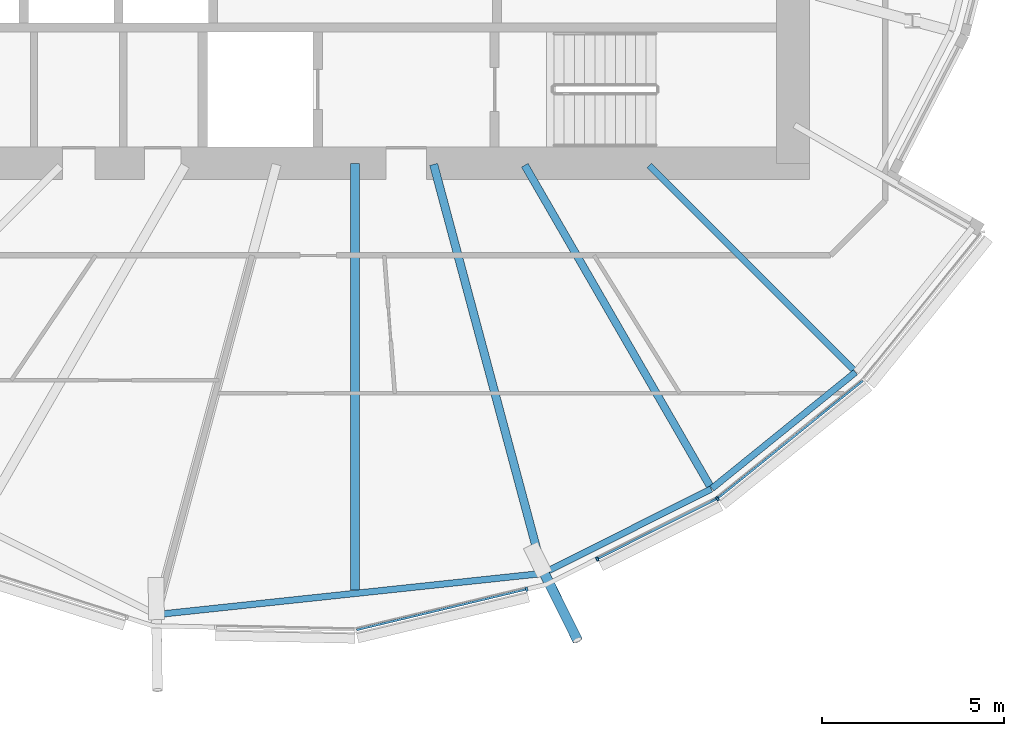
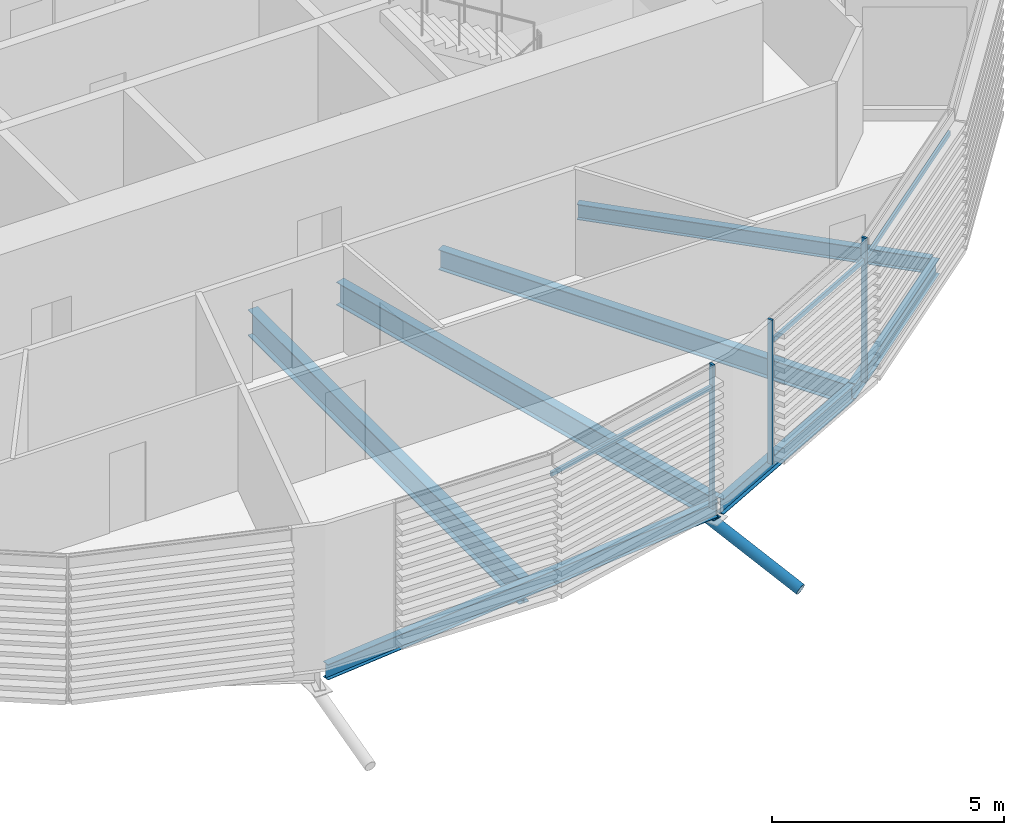
# One storey, part 13 of 36: 7 beams, 7 members, 1 element without a shape of its own.
"""IFC4 building model written with IfcOpenShell, lengths in metres."""

from ifc_helpers import new_model, si_unit, direction, frame, origin, origin_2d, place, context, subcontext, project, spatial, rectangle, hollow_circle, i_section, extrude, clip, halfspace, material, material_profile, profile_set, type_object, element, aggregate, save


model = new_model("IFC4")

# Units and contexts
model_context = context("Model", 3, precision=1e-05, world=origin(), true_north=direction((0.0, 1.0)))
body_context = subcontext(model_context, "Body", "Model", "MODEL_VIEW")
ifc_project = project(units=[si_unit("LENGTHUNIT", "METRE"), si_unit("AREAUNIT", "SQUARE_METRE"), si_unit("VOLUMEUNIT", "CUBIC_METRE"), si_unit("PLANEANGLEUNIT", "RADIAN"), si_unit("MASSUNIT", "GRAM", prefix="KILO")], contexts=[model_context])

# Site, building, storey
site_placement = place(None, origin())
site = spatial("IfcSite", under=ifc_project, at=site_placement, CompositionType="ELEMENT")
building_placement = place(site_placement, origin())
building = spatial("IfcBuilding", under=site, at=building_placement, Name="Rimbun Link Towers", CompositionType="ELEMENT")
storey_placement = place(building_placement, frame((0.0, 0.0, 33.800048828125)))
storey = spatial("IfcBuildingStorey", under=building, at=storey_placement, Name="L07", CompositionType="ELEMENT", Elevation=33.800048828125)

# Curtain wall, members
ifc_material_1 = material(Name="Aluminium 6063-T6 and low-iron glass", Category="aluminium")
curtain_wall_type = type_object("IfcCurtainWallType", Name="CW1 unitised vision wall", PredefinedType="NOTDEFINED", material=ifc_material_1)
curtain_wall_placement = place(storey_placement, origin())
curtain_wall = element("IfcCurtainWall", 1, at=curtain_wall_placement, inside=storey, type_object=curtain_wall_type, Name="CW1 L07 T2", PredefinedType="NOTDEFINED")
ifc_material_2 = material(Name="Aluminium 6063-T6", Category="aluminium")
ifc_material_profile_1 = material_profile(ifc_material_2, rectangle(XDim=0.1201171875, YDim=0.06005859375, at=origin_2d()), Name="MULLION 60X120")
ifc_profile_set_1 = profile_set([ifc_material_profile_1], Name="Aluminium 6063-T6")
member_type_1 = type_object("IfcMemberType", Name="CW1 mullion 60X120", PredefinedType="MULLION", material=ifc_profile_set_1)
member_1_placement = place(storey_placement, frame((36.449951171875, -19.671142578125, 0.0), z_axis=(0.0, 0.0, 1.0), x_axis=(0.23261266824, -0.972569455913, 0.0)))
member_1 = element("IfcMember", 2, at=member_1_placement, type_object=member_type_1, Name="CW1 mullion", PredefinedType="MULLION", context=body_context, shape_type="SweptSolid", body=[
    extrude(rectangle(XDim=0.1201171875, YDim=0.06005859375, at=origin_2d()), origin(), (0.0, 0.0, 1.0), 3.800048828125),
])
member_2_placement = place(storey_placement, frame((41.677001953125, -17.188232421875, 0.0), z_axis=(0.0, 0.0, 1.0), x_axis=(0.542093221733, -0.840318355715, 0.0)))
member_2 = element("IfcMember", 3, at=member_2_placement, type_object=member_type_1, Name="CW1 mullion", PredefinedType="MULLION", context=body_context, shape_type="SweptSolid", body=[
    extrude(rectangle(XDim=0.1201171875, YDim=0.06005859375, at=origin_2d()), origin(), (0.0, 0.0, 1.0), 3.800048828125),
])
member_3_placement = place(storey_placement, frame((38.383056640625, -18.8427734375, 0.0), z_axis=(0.0, 0.0, 1.0), x_axis=(0.448773200217, -0.893645687489, 0.0)))
member_3 = element("IfcMember", 4, at=member_3_placement, type_object=member_type_1, Name="CW1 mullion", PredefinedType="MULLION", context=body_context, shape_type="SweptSolid", body=[
    extrude(rectangle(XDim=0.1201171875, YDim=0.06005859375, at=origin_2d()), origin(), (0.0, 0.0, 1.0), 3.800048828125),
])
ifc_material_3 = material(Name="Aluminium 6063-T6", Category="aluminium")
ifc_material_profile_2 = material_profile(ifc_material_3, rectangle(XDim=0.06005859375, YDim=0.1201171875, at=origin_2d()), Name="TRANSOM 60X120")
ifc_profile_set_2 = profile_set([ifc_material_profile_2], Name="Aluminium 6063-T6")
member_type_2 = type_object("IfcMemberType", Name="CW1 transom 60X120", PredefinedType="USERDEFINED", material=ifc_profile_set_2)
member_4_placement = place(storey_placement, frame((36.42041015625, -19.676025390625, 3.199951171875), z_axis=(-0.97256400383, -0.232635462589, 0.0), x_axis=(0.232635462589, -0.97256400383, 0.0)))
member_4 = element("IfcMember", 5, at=member_4_placement, type_object=member_type_2, Name="CW1 transom", ObjectType="TRANSOM", PredefinedType="USERDEFINED", context=body_context, shape_type="SweptSolid", body=[
    extrude(rectangle(XDim=0.06005859375, YDim=0.1201171875, at=origin_2d()), origin(), (0.0, 0.0, 1.0), 4.75830078125),
])
member_5_placement = place(storey_placement, frame((41.643798828125, -17.203125, 3.199951171875), z_axis=(-0.893643462772, -0.448777630286, 0.0), x_axis=(0.448777630286, -0.893643462772, 0.0)))
member_5 = element("IfcMember", 6, at=member_5_placement, type_object=member_type_2, Name="CW1 transom", ObjectType="TRANSOM", PredefinedType="USERDEFINED", context=body_context, shape_type="SweptSolid", body=[
    extrude(rectangle(XDim=0.06005859375, YDim=0.1201171875, at=origin_2d()), origin(), (0.0, 0.0, 1.0), 3.619873046875),
])
member_6_placement = place(storey_placement, frame((45.660888671875, -13.961669921875, 3.199951171875), z_axis=(-0.77729513126, -0.629136137032, 0.0), x_axis=(0.629136137032, -0.77729513126, 0.0)))
member_6 = element("IfcMember", 7, at=member_6_placement, type_object=member_type_2, Name="CW1 transom", ObjectType="TRANSOM", PredefinedType="USERDEFINED", context=body_context, shape_type="SweptSolid", body=[
    extrude(rectangle(XDim=0.06005859375, YDim=0.1201171875, at=origin_2d()), origin(), (0.0, 0.0, 1.0), 5.090087890625),
])
aggregate(curtain_wall, [member_1, member_2, member_3, member_4, member_5, member_6])

# Member
ifc_material_4 = material(Name="Steel S355J2H", Category="steel")
ifc_material_profile_3 = material_profile(ifc_material_4, hollow_circle(Radius=0.136474609375, WallThickness=0.012451171875, at=origin_2d()), Name="CHS 273x12.5")
ifc_profile_set_3 = profile_set([ifc_material_profile_3], Name="Steel S355J2H")
member_type_3 = type_object("IfcMemberType", Name="Floor edge link CHS 273x12.5", PredefinedType="BRACE", material=ifc_profile_set_3)
member_7_placement = place(storey_placement, frame((36.8681640625, -19.101318359375, -0.888916015625), z_axis=(0.411715918784, -0.829898579747, -0.376508100249), x_axis=(0.895818914221, 0.444419253548, 0.0)))
element("IfcMember", 8, at=member_7_placement, inside=storey, type_object=member_type_3, Name="Floor edge link T2 L07 16", PredefinedType="BRACE", context=body_context, shape_type="Clipping", body=[
    clip(extrude(hollow_circle(Radius=0.136474609375, WallThickness=0.012451171875, at=origin_2d()), frame((0.0, 0.0, -0.6982421875)), (0.0, 0.0, 1.0), 3.07666015625), halfspace(frame((0.0, 0.0, -0.330078125), z_axis=(0.0, 0.926413325923, -0.376508100249)), False)),
])

# Beams
ifc_material_5 = material(Name="Steel S355J2", Category="steel")
ifc_material_profile_4 = material_profile(ifc_material_5, i_section(OverallWidth=0.177978515625, OverallDepth=0.406494140625, WebThickness=0.0078125, FlangeThickness=0.0126953125, at=origin_2d()), Name="UB 406x178x60")
ifc_profile_set_4 = profile_set([ifc_material_profile_4], Name="Steel S355J2")
beam_type_1 = type_object("IfcBeamType", Name="UB 406x178x60", PredefinedType="BEAM", material=ifc_profile_set_4)
beam_1_placement = place(storey_placement, frame((39.813720703125, -8.063720703125, -0.36328125), z_axis=(0.707106781187, -0.707106781187, 0.0), x_axis=(0.707106781187, 0.707106781187, 0.0)))
element("IfcBeam", 9, at=beam_1_placement, inside=storey, type_object=beam_type_1, Name="Radial beam T2 L07 18", PredefinedType="BEAM", context=body_context, shape_type="SweptSolid", body=[
    extrude(i_section(OverallWidth=0.177978515625, OverallDepth=0.406494140625, WebThickness=0.0078125, FlangeThickness=0.0126953125, at=origin_2d()), origin(), (0.0, 0.0, 1.0), 7.908935546875),
])
beam_2_placement = place(storey_placement, frame((26.428466796875, -20.35400390625, -0.36328125), z_axis=(0.994375794945, 0.105909293396, 0.0), x_axis=(-0.105909293396, 0.994375794945, 0.0)))
element("IfcBeam", 10, at=beam_2_placement, inside=storey, type_object=beam_type_1, Name="Edge beam T2 L07 14-16", PredefinedType="BEAM", context=body_context, shape_type="SweptSolid", body=[
    extrude(i_section(OverallWidth=0.177978515625, OverallDepth=0.406494140625, WebThickness=0.0078125, FlangeThickness=0.0126953125, at=origin_2d()), origin(), (0.0, 0.0, 1.0), 10.41943359375),
])
beam_3_placement = place(storey_placement, frame((36.90576171875, -19.23779296875, -0.36328125), z_axis=(0.893410782718, 0.449240663033, 0.0), x_axis=(-0.449240663033, 0.893410782718, 0.0)))
element("IfcBeam", 11, at=beam_3_placement, inside=storey, type_object=beam_type_1, Name="Edge beam T2 L07 16", PredefinedType="BEAM", context=body_context, shape_type="SweptSolid", body=[
    extrude(i_section(OverallWidth=0.177978515625, OverallDepth=0.406494140625, WebThickness=0.0078125, FlangeThickness=0.0126953125, at=origin_2d()), origin(), (0.0, 0.0, 1.0), 5.15185546875),
])
beam_4_placement = place(storey_placement, frame((41.526123046875, -16.911865234375, -0.36328125), z_axis=(0.777299887506, 0.629130260665, 0.0), x_axis=(-0.629130260665, 0.777299887506, 0.0)))
element("IfcBeam", 12, at=beam_4_placement, inside=storey, type_object=beam_type_1, Name="Edge beam T2 L07 17", PredefinedType="BEAM", context=body_context, shape_type="SweptSolid", body=[
    extrude(i_section(OverallWidth=0.177978515625, OverallDepth=0.406494140625, WebThickness=0.0078125, FlangeThickness=0.0126953125, at=origin_2d()), origin(), (0.0, 0.0, 1.0), 5.0634765625),
])
ifc_material_6 = material(Name="Steel S355J2", Category="steel")
ifc_material_profile_5 = material_profile(ifc_material_6, i_section(OverallWidth=0.209228515625, OverallDepth=0.533203125, WebThickness=0.010009765625, FlangeThickness=0.015625, at=origin_2d()), Name="UB 533x210x92")
ifc_profile_set_5 = profile_set([ifc_material_profile_5], Name="Steel S355J2")
beam_type_2 = type_object("IfcBeamType", Name="UB 533x210x92", PredefinedType="BEAM", material=ifc_profile_set_5)
beam_5_placement = place(storey_placement, frame((36.3994140625, -8.05322265625, -0.4267578125), z_axis=(0.500007791372, -0.866020905387, 0.0), x_axis=(0.866020905387, 0.500007791372, 0.0)))
element("IfcBeam", 13, at=beam_5_placement, inside=storey, type_object=beam_type_2, Name="Radial beam T2 L07 17", PredefinedType="BEAM", context=body_context, shape_type="SweptSolid", body=[
    extrude(i_section(OverallWidth=0.209228515625, OverallDepth=0.533203125, WebThickness=0.010009765625, FlangeThickness=0.015625, at=origin_2d()), origin(), (0.0, 0.0, 1.0), 10.146728515625),
])
ifc_material_7 = material(Name="Steel S355J2", Category="steel")
ifc_material_profile_6 = material_profile(ifc_material_7, i_section(OverallWidth=0.2275390625, OverallDepth=0.6025390625, WebThickness=0.010498046875, FlangeThickness=0.014892578125, at=origin_2d()), Name="UB 610x229x101")
ifc_profile_set_6 = profile_set([ifc_material_profile_6], Name="Steel S355J2")
beam_type_3 = type_object("IfcBeamType", Name="UB 610x229x101", PredefinedType="BEAM", material=ifc_profile_set_6)
beam_6_placement = place(storey_placement, frame((33.901611328125, -8.030517578125, -0.46142578125), z_axis=(0.258834676399, -0.96592163776, 0.0), x_axis=(0.96592163776, 0.258834676399, 0.0)))
element("IfcBeam", 14, at=beam_6_placement, inside=storey, type_object=beam_type_3, Name="Radial beam T2 L07 16", PredefinedType="BEAM", context=body_context, shape_type="SweptSolid", body=[
    extrude(i_section(OverallWidth=0.2275390625, OverallDepth=0.6025390625, WebThickness=0.010498046875, FlangeThickness=0.014892578125, at=origin_2d()), origin(), (0.0, 0.0, 1.0), 11.51123046875),
])
ifc_material_8 = material(Name="Steel S355J2", Category="steel")
ifc_material_profile_7 = material_profile(ifc_material_8, i_section(OverallWidth=0.253662109375, OverallDepth=0.68359375, WebThickness=0.012451171875, FlangeThickness=0.01904296875, at=origin_2d()), Name="UB 686x254x140")
ifc_profile_set_7 = profile_set([ifc_material_profile_7], Name="Steel S355J2")
beam_type_4 = type_object("IfcBeamType", Name="UB 686x254x140", PredefinedType="BEAM", material=ifc_profile_set_7)
beam_7_placement = place(storey_placement, frame((31.75, -8.0009765625, -0.501708984375), z_axis=(0.0, -1.0, 0.0), x_axis=(1.0, 0.0, 0.0)))
element("IfcBeam", 15, at=beam_7_placement, inside=storey, type_object=beam_type_4, Name="Radial beam T2 L07 15", PredefinedType="BEAM", context=body_context, shape_type="SweptSolid", body=[
    extrude(i_section(OverallWidth=0.253662109375, OverallDepth=0.68359375, WebThickness=0.012451171875, FlangeThickness=0.01904296875, at=origin_2d()), origin(), (0.0, 0.0, 1.0), 11.69580078125),
])

save(model, "model.ifc")
